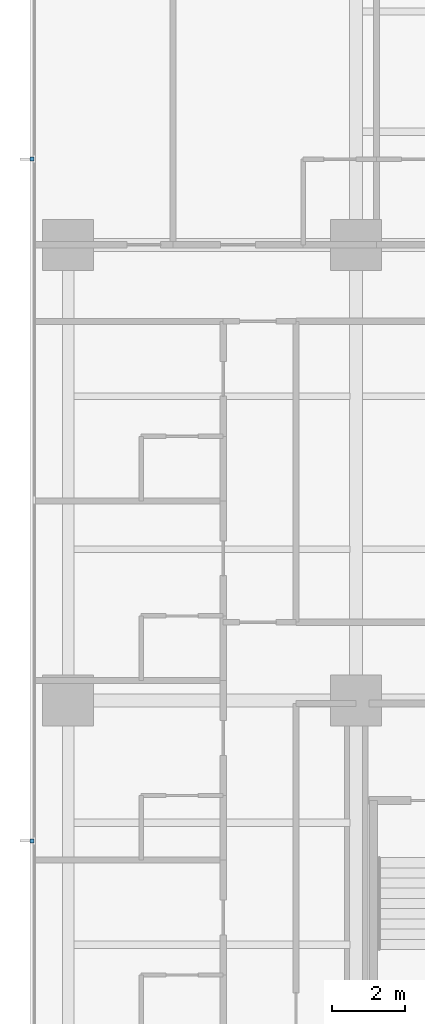
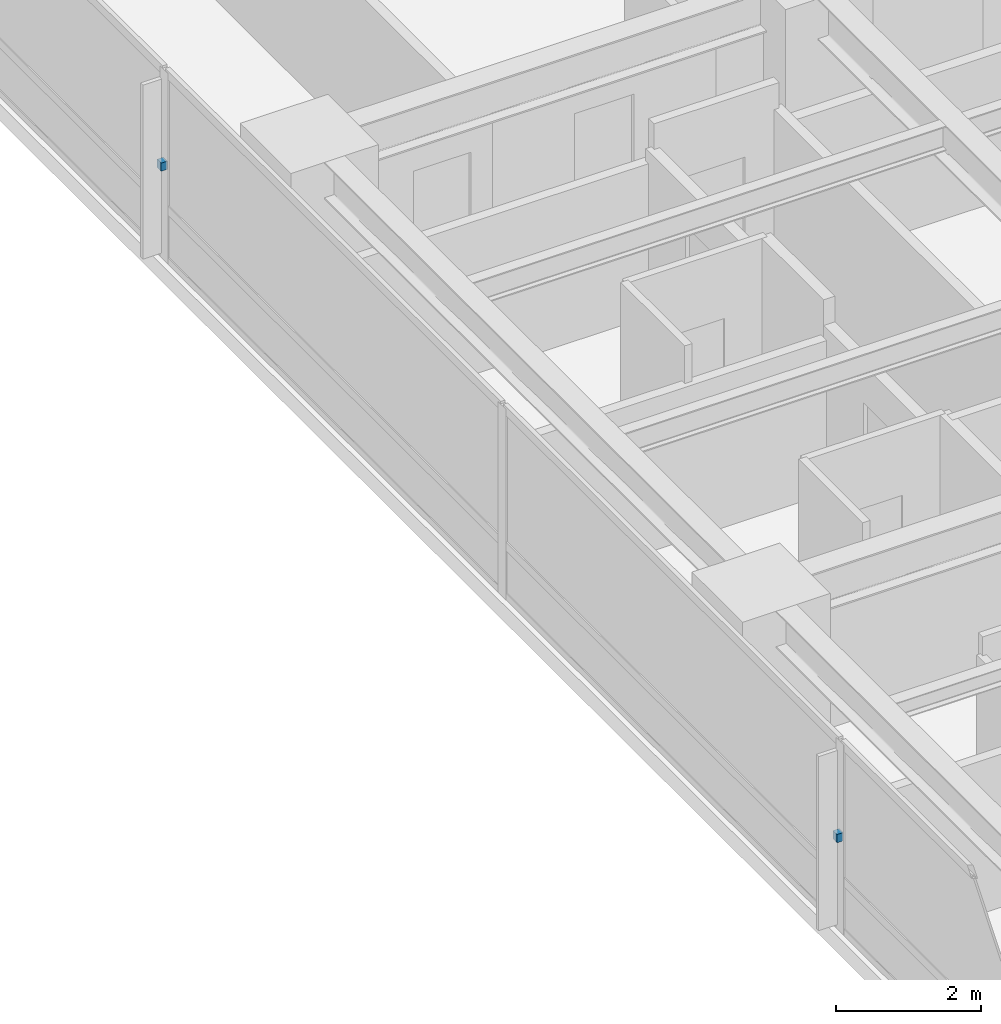
# One storey, part 13 of 18: 2 discrete accessories.
"""IFC4 building model written with IfcOpenShell, lengths in metres."""

from ifc_helpers import new_model, si_unit, direction, frame, origin, place, context, subcontext, project, spatial, polyline, outline, extrude, material, type_object, element, save


model = new_model("IFC4")

# Units and contexts
model_context = context("Model", 3, precision=1e-05, world=origin(), true_north=direction((0.0, 1.0)))
body_context = subcontext(model_context, "Body", "Model", "MODEL_VIEW")
ifc_project = project(units=[si_unit("LENGTHUNIT", "METRE"), si_unit("AREAUNIT", "SQUARE_METRE"), si_unit("VOLUMEUNIT", "CUBIC_METRE"), si_unit("PLANEANGLEUNIT", "RADIAN"), si_unit("MASSUNIT", "GRAM", prefix="KILO")], contexts=[model_context])

# Site, building, storey
site_placement = place(None, origin())
site = spatial("IfcSite", under=ifc_project, at=site_placement, CompositionType="ELEMENT")
building_placement = place(site_placement, origin())
building = spatial("IfcBuilding", under=site, at=building_placement, Name="Qalmaran Belvedere Hotel", CompositionType="ELEMENT")
storey_placement = place(building_placement, frame((0.0, 0.0, 54.39990234375)))
storey = spatial("IfcBuildingStorey", under=building, at=storey_placement, Name="L13", CompositionType="ELEMENT", Elevation=54.39990234375)

# Discrete accessories
ifc_material = material(Name="Stainless Steel 1.4401", Category="steel")
discrete_accessory_type = type_object("IfcDiscreteAccessoryType", Name="BRK-FIN-SS316", PredefinedType="BRACKET", material=ifc_material)
discrete_accessory_1_placement = place(storey_placement, frame((0.0, 0.0, 1.56005859375)))
element("IfcDiscreteAccessory", 1, at=discrete_accessory_1_placement, inside=storey, type_object=discrete_accessory_type, Name="L13 Fin Bracket 1", PredefinedType="BRACKET", context=body_context, shape_type="SweptSolid", body=[
    extrude(outline(polyline([(11.455078125, 35.405029296875), (11.357421875, 35.405029296875), (11.357421875, 35.294921875), (11.455078125, 35.294921875), (11.455078125, 35.405029296875)])), origin(), (0.0, 0.0, 1.0), 0.14013671875),
])
discrete_accessory_2_placement = place(storey_placement, frame((0.0, 0.0, 1.56005859375)))
element("IfcDiscreteAccessory", 2, at=discrete_accessory_2_placement, inside=storey, type_object=discrete_accessory_type, Name="L13 Fin Bracket 3", PredefinedType="BRACKET", context=body_context, shape_type="SweptSolid", body=[
    extrude(outline(polyline([(11.455078125, 16.705078125), (11.357421875, 16.705078125), (11.357421875, 16.594970703125), (11.455078125, 16.594970703125), (11.455078125, 16.705078125)])), origin(), (0.0, 0.0, 1.0), 0.14013671875),
])

save(model, "model.ifc")
